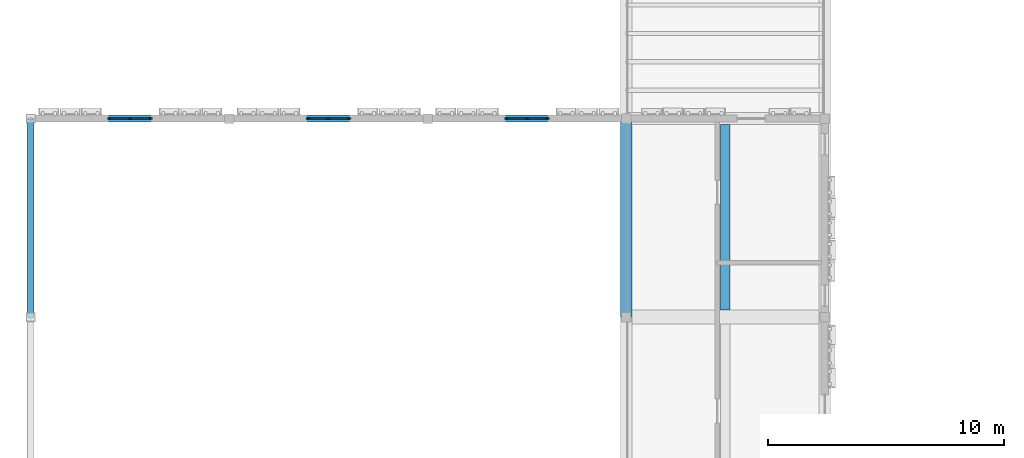
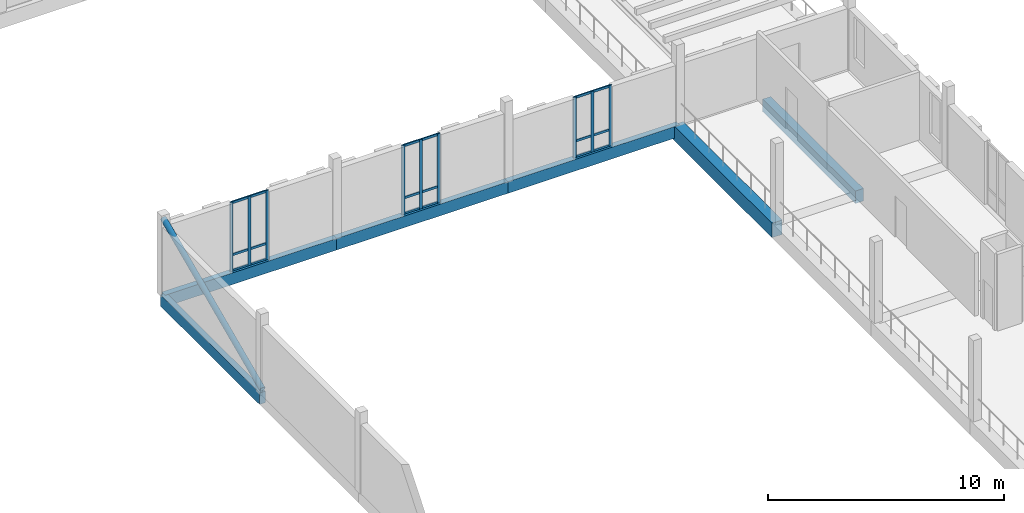
# One storey, part 30 of 99: 19 members, 6 beams, 3 elements without a shape of their own.
"""IFC4 building model written with IfcOpenShell, lengths in metres."""

from ifc_helpers import new_model, si_unit, direction, frame, origin, origin_2d, place, context, subcontext, project, spatial, rectangle, hollow_circle, extrude, material, material_profile, profile_set, type_object, element, aggregate, save


model = new_model("IFC4")

# Units and contexts
model_context = context("Model", 3, precision=1e-05, world=origin(), true_north=direction((0.0, 1.0)))
body_context = subcontext(model_context, "Body", "Model", "MODEL_VIEW")
ifc_project = project(units=[si_unit("LENGTHUNIT", "METRE"), si_unit("AREAUNIT", "SQUARE_METRE"), si_unit("VOLUMEUNIT", "CUBIC_METRE"), si_unit("PLANEANGLEUNIT", "RADIAN"), si_unit("MASSUNIT", "GRAM", prefix="KILO")], contexts=[model_context])

# Site, building, storey
site_placement = place(None, origin())
site = spatial("IfcSite", under=ifc_project, at=site_placement, CompositionType="ELEMENT")
building_placement = place(site_placement, origin())
building = spatial("IfcBuilding", under=site, at=building_placement, Name="Kahlenmark Community Centre", CompositionType="ELEMENT")
storey_placement = place(building_placement, frame((0.0, 0.0, 5.39990234375)))
storey = spatial("IfcBuildingStorey", under=building, at=storey_placement, Name="L01", CompositionType="ELEMENT", Elevation=5.39990234375)

# Beams
ifc_material_1 = material(Name="Concrete C35/45", Category="concrete")
ifc_material_profile_1 = material_profile(ifc_material_1, rectangle(XDim=0.39990234375, YDim=0.64990234375, at=origin_2d()), Name="RC 400x650")
ifc_profile_set_1 = profile_set([ifc_material_profile_1], Name="Concrete C35/45")
beam_type_1 = type_object("IfcBeamType", Name="BT-JOIST-RC400x650", PredefinedType="JOIST", material=ifc_profile_set_1)
beam_1_placement = place(storey_placement, frame((33.39990234375, 67.89794921875, -0.324951171875), z_axis=(0.0, 1.0, 0.0), x_axis=(-1.0, 0.0, 0.0)))
element("IfcBeam", 1, at=beam_1_placement, inside=storey, type_object=beam_type_1, Name="L01 joist BJ-RC400x650", PredefinedType="JOIST", context=body_context, shape_type="SweptSolid", body=[
    extrude(rectangle(XDim=0.39990234375, YDim=0.64990234375, at=origin_2d()), origin(), (0.0, 0.0, 1.0), 7.85400390625),
])
ifc_material_2 = material(Name="Glulam GL32h", Category="wood")
ifc_material_profile_2 = material_profile(ifc_material_2, rectangle(XDim=0.280029296875, YDim=0.60009765625, at=origin_2d()), Name="GL32h 280x600")
ifc_profile_set_2 = profile_set([ifc_material_profile_2], Name="Glulam GL32h")
beam_type_2 = type_object("IfcBeamType", Name="BT-SPANDREL-GL32h280x600", PredefinedType="SPANDREL", material=ifc_profile_set_2)
beam_2_placement = place(storey_placement, frame((4.0, 76.0, -0.2998046875), z_axis=(1.0, 0.0, 0.0), x_axis=(0.0, 1.0, 0.0)))
element("IfcBeam", 2, at=beam_2_placement, inside=storey, type_object=beam_type_2, Name="L01 spandrel SP-GL32h280x600", PredefinedType="SPANDREL", context=body_context, shape_type="SweptSolid", body=[
    extrude(rectangle(XDim=0.280029296875, YDim=0.60009765625, at=origin_2d()), origin(), (0.0, 0.0, 1.0), 8.39990234375),
])
beam_3_placement = place(storey_placement, frame((12.39990234375, 76.0, -0.2998046875), z_axis=(1.0, 0.0, 0.0), x_axis=(0.0, 1.0, 0.0)))
element("IfcBeam", 3, at=beam_3_placement, inside=storey, type_object=beam_type_2, Name="L01 spandrel SP-GL32h280x600", PredefinedType="SPANDREL", context=body_context, shape_type="SweptSolid", body=[
    extrude(rectangle(XDim=0.280029296875, YDim=0.60009765625, at=origin_2d()), origin(), (0.0, 0.0, 1.0), 8.400146484375),
])
for number, where, z_axis, x_axis, name in (
    (4, (20.800048828125, 76.0, -0.2998046875), (1.0, 0.0, 0.0), (0.0, 1.0, 0.0), "L01 spandrel SP-GL32h280x600"),
    (5, (4.0, 67.60009765625, -0.2998046875), (0.0, 1.0, 0.0), (-1.0, 0.0, 0.0), "L01 spandrel SP-GL32h280x600"),
):
    element("IfcBeam", number, at=place(storey_placement, frame(where, z_axis=z_axis, x_axis=x_axis)), inside=storey, type_object=beam_type_2, Name=name, PredefinedType="SPANDREL", context=body_context, shape_type="SweptSolid", body=[
        extrude(rectangle(XDim=0.280029296875, YDim=0.60009765625, at=origin_2d()), origin(), (0.0, 0.0, 1.0), 8.39990234375),
    ])
ifc_material_profile_3 = material_profile(ifc_material_1, rectangle(XDim=0.5, YDim=0.75, at=origin_2d()), Name="RC 500x750")
ifc_profile_set_3 = profile_set([ifc_material_profile_3], Name="Concrete C35/45")
beam_type_3 = type_object("IfcBeamType", Name="BT-SPANDREL-RC500x750", PredefinedType="SPANDREL", material=ifc_profile_set_3)
beam_4_placement = place(storey_placement, frame((29.199951171875, 67.60009765625, -0.375), z_axis=(0.0, 1.0, 0.0), x_axis=(-1.0, 0.0, 0.0)))
element("IfcBeam", 6, at=beam_4_placement, inside=storey, type_object=beam_type_3, Name="L01 spandrel SP-RC500x750", PredefinedType="SPANDREL", context=body_context, shape_type="SweptSolid", body=[
    extrude(rectangle(XDim=0.5, YDim=0.75, at=origin_2d()), origin(), (0.0, 0.0, 1.0), 8.39990234375),
])

# Member
ifc_material_3 = material(Name="Steel S355", Category="steel")
ifc_material_profile_4 = material_profile(ifc_material_3, hollow_circle(Radius=0.136474609375, WallThickness=0.010009765625, at=origin_2d()), Name="CHS 273x10")
ifc_profile_set_4 = profile_set([ifc_material_profile_4], Name="Steel S355")
member_type_1 = type_object("IfcMemberType", Name="MT-BRACE-CHS273x10", PredefinedType="BRACE", material=ifc_profile_set_4)
member_1_placement = place(storey_placement, frame((4.0, 67.60009765625, 0.150146484375), z_axis=(0.0, 0.913136118269, 0.407654792089), x_axis=(-1.0, 0.0, 0.0)))
element("IfcMember", 7, at=member_1_placement, inside=storey, type_object=member_type_1, Name="L01 brace BF-DIAG", PredefinedType="BRACE", context=body_context, shape_type="SweptSolid", body=[
    extrude(hollow_circle(Radius=0.136474609375, WallThickness=0.010009765625, at=origin_2d()), origin(), (0.0, 0.0, 1.0), 9.198974609375),
])

# Curtain wall, members
ifc_material_4 = material(Name="Anodised aluminium unitised curtain wall", Category="aluminium")
curtain_wall_type_1 = type_object("IfcCurtainWallType", Name="CWT-UNIT-180X359", PredefinedType="USERDEFINED", material=ifc_material_4)
curtain_wall_1_placement = place(storey_placement, origin())
curtain_wall_1 = element("IfcCurtainWall", 8, at=curtain_wall_1_placement, inside=storey, type_object=curtain_wall_type_1, Name="Unitised curtain wall CW-013", ObjectType="UNITISED CURTAIN WALL", PredefinedType="USERDEFINED")
ifc_material_5 = material(Name="Anodised aluminium 6063-T6", Category="aluminium")
ifc_material_profile_5 = material_profile(ifc_material_5, rectangle(XDim=0.06005859375, YDim=0.139892578125, at=origin_2d()), Name="ALU MULLION 60x140")
ifc_profile_set_5 = profile_set([ifc_material_profile_5], Name="Anodised aluminium 6063-T6")
member_type_2 = type_object("IfcMemberType", Name="MT-MUL-140", PredefinedType="MULLION", material=ifc_profile_set_5)
member_2_placement = place(storey_placement, frame((9.070068359375, 76.0, 0.0), z_axis=(0.0, 0.0, 1.0), x_axis=(0.0, -1.0, 0.0)))
member_2 = element("IfcMember", 9, at=member_2_placement, type_object=member_type_2, Name="CW-013 mullion 1", PredefinedType="MULLION", context=body_context, shape_type="SweptSolid", body=[
    extrude(rectangle(XDim=0.06005859375, YDim=0.139892578125, at=origin_2d()), origin(), (0.0, 0.0, 1.0), 3.590087890625),
])
member_3_placement = place(storey_placement, frame((8.199951171875, 76.0, 0.0), z_axis=(0.0, 0.0, 1.0), x_axis=(0.0, -1.0, 0.0)))
member_3 = element("IfcMember", 10, at=member_3_placement, type_object=member_type_2, Name="CW-013 mullion 2", PredefinedType="MULLION", context=body_context, shape_type="SweptSolid", body=[
    extrude(rectangle(XDim=0.06005859375, YDim=0.139892578125, at=origin_2d()), origin(), (0.0, 0.0, 1.0), 3.590087890625),
])
member_4_placement = place(storey_placement, frame((7.330078125, 76.0, 0.0), z_axis=(0.0, 0.0, 1.0), x_axis=(0.0, -1.0, 0.0)))
member_4 = element("IfcMember", 11, at=member_4_placement, type_object=member_type_2, Name="CW-013 mullion 3", PredefinedType="MULLION", context=body_context, shape_type="SweptSolid", body=[
    extrude(rectangle(XDim=0.06005859375, YDim=0.139892578125, at=origin_2d()), origin(), (0.0, 0.0, 1.0), 3.590087890625),
])

curtain_wall_2_placement = place(storey_placement, origin())
curtain_wall_2 = element("IfcCurtainWall", 12, at=curtain_wall_2_placement, inside=storey, type_object=curtain_wall_type_1, Name="Unitised curtain wall CW-014", ObjectType="UNITISED CURTAIN WALL", PredefinedType="USERDEFINED")
member_5_placement = place(storey_placement, frame((17.469970703125, 76.0, 0.0), z_axis=(0.0, 0.0, 1.0), x_axis=(0.0, -1.0, 0.0)))
member_5 = element("IfcMember", 13, at=member_5_placement, type_object=member_type_2, Name="CW-014 mullion 1", PredefinedType="MULLION", context=body_context, shape_type="SweptSolid", body=[
    extrude(rectangle(XDim=0.06005859375, YDim=0.139892578125, at=origin_2d()), origin(), (0.0, 0.0, 1.0), 3.590087890625),
])
member_6_placement = place(storey_placement, frame((16.60009765625, 76.0, 0.0), z_axis=(0.0, 0.0, 1.0), x_axis=(0.0, -1.0, 0.0)))
member_6 = element("IfcMember", 14, at=member_6_placement, type_object=member_type_2, Name="CW-014 mullion 2", PredefinedType="MULLION", context=body_context, shape_type="SweptSolid", body=[
    extrude(rectangle(XDim=0.06005859375, YDim=0.139892578125, at=origin_2d()), origin(), (0.0, 0.0, 1.0), 3.590087890625),
])
member_7_placement = place(storey_placement, frame((15.72998046875, 76.0, 0.0), z_axis=(0.0, 0.0, 1.0), x_axis=(0.0, -1.0, 0.0)))
member_7 = element("IfcMember", 15, at=member_7_placement, type_object=member_type_2, Name="CW-014 mullion 3", PredefinedType="MULLION", context=body_context, shape_type="SweptSolid", body=[
    extrude(rectangle(XDim=0.06005859375, YDim=0.139892578125, at=origin_2d()), origin(), (0.0, 0.0, 1.0), 3.590087890625),
])

curtain_wall_type_2 = type_object("IfcCurtainWallType", Name="CWT-UNIT-180X315", PredefinedType="USERDEFINED", material=ifc_material_4)
curtain_wall_3_placement = place(storey_placement, origin())
curtain_wall_3 = element("IfcCurtainWall", 16, at=curtain_wall_3_placement, inside=storey, type_object=curtain_wall_type_2, Name="Unitised curtain wall CW-015", ObjectType="UNITISED CURTAIN WALL", PredefinedType="USERDEFINED")
member_8_placement = place(storey_placement, frame((25.8701171875, 76.0, 0.0), z_axis=(0.0, 0.0, 1.0), x_axis=(0.0, -1.0, 0.0)))
member_8 = element("IfcMember", 17, at=member_8_placement, type_object=member_type_2, Name="CW-015 mullion 1", PredefinedType="MULLION", context=body_context, shape_type="SweptSolid", body=[
    extrude(rectangle(XDim=0.06005859375, YDim=0.139892578125, at=origin_2d()), origin(), (0.0, 0.0, 1.0), 3.150146484375),
])
member_9_placement = place(storey_placement, frame((25.0, 76.0, 0.0), z_axis=(0.0, 0.0, 1.0), x_axis=(0.0, -1.0, 0.0)))
member_9 = element("IfcMember", 18, at=member_9_placement, type_object=member_type_2, Name="CW-015 mullion 2", PredefinedType="MULLION", context=body_context, shape_type="SweptSolid", body=[
    extrude(rectangle(XDim=0.06005859375, YDim=0.139892578125, at=origin_2d()), origin(), (0.0, 0.0, 1.0), 3.150146484375),
])
member_10_placement = place(storey_placement, frame((24.1298828125, 76.0, 0.0), z_axis=(0.0, 0.0, 1.0), x_axis=(0.0, -1.0, 0.0)))
member_10 = element("IfcMember", 19, at=member_10_placement, type_object=member_type_2, Name="CW-015 mullion 3", PredefinedType="MULLION", context=body_context, shape_type="SweptSolid", body=[
    extrude(rectangle(XDim=0.06005859375, YDim=0.139892578125, at=origin_2d()), origin(), (0.0, 0.0, 1.0), 3.150146484375),
])

# Member
ifc_material_profile_6 = material_profile(ifc_material_5, rectangle(XDim=0.06005859375, YDim=0.1201171875, at=origin_2d()), Name="ALU TRANSOM 60x120")
ifc_profile_set_6 = profile_set([ifc_material_profile_6], Name="Anodised aluminium 6063-T6")
member_type_3 = type_object("IfcMemberType", Name="MT-TRN-120", PredefinedType="USERDEFINED", material=ifc_profile_set_6)
member_11_placement = place(storey_placement, frame((9.070068359375, 76.0, 0.0400390625), z_axis=(-1.0, 0.0, 0.0), x_axis=(0.0, -1.0, 0.0)))
member_11 = element("IfcMember", 20, at=member_11_placement, type_object=member_type_3, Name="CW-013 transom 1", ObjectType="TRANSOM", PredefinedType="USERDEFINED", context=body_context, shape_type="SweptSolid", body=[
    extrude(rectangle(XDim=0.06005859375, YDim=0.1201171875, at=origin_2d()), origin(), (0.0, 0.0, 1.0), 1.739990234375),
])

member_12_placement = place(storey_placement, frame((9.070068359375, 76.0, 0.85009765625), z_axis=(-1.0, 0.0, 0.0), x_axis=(0.0, -1.0, 0.0)))
member_12 = element("IfcMember", 21, at=member_12_placement, type_object=member_type_3, Name="CW-013 transom 2", ObjectType="TRANSOM", PredefinedType="USERDEFINED", context=body_context, shape_type="SweptSolid", body=[
    extrude(rectangle(XDim=0.06005859375, YDim=0.1201171875, at=origin_2d()), origin(), (0.0, 0.0, 1.0), 1.739990234375),
])

member_13_placement = place(storey_placement, frame((9.070068359375, 76.0, 3.550048828125), z_axis=(-1.0, 0.0, 0.0), x_axis=(0.0, -1.0, 0.0)))
member_13 = element("IfcMember", 22, at=member_13_placement, type_object=member_type_3, Name="CW-013 transom 3", ObjectType="TRANSOM", PredefinedType="USERDEFINED", context=body_context, shape_type="SweptSolid", body=[
    extrude(rectangle(XDim=0.06005859375, YDim=0.1201171875, at=origin_2d()), origin(), (0.0, 0.0, 1.0), 1.739990234375),
])

aggregate(curtain_wall_1, [member_2, member_3, member_4, member_11, member_12, member_13])

member_14_placement = place(storey_placement, frame((17.469970703125, 76.0, 0.0400390625), z_axis=(-1.0, 0.0, 0.0), x_axis=(0.0, -1.0, 0.0)))
member_14 = element("IfcMember", 23, at=member_14_placement, type_object=member_type_3, Name="CW-014 transom 1", ObjectType="TRANSOM", PredefinedType="USERDEFINED", context=body_context, shape_type="SweptSolid", body=[
    extrude(rectangle(XDim=0.06005859375, YDim=0.1201171875, at=origin_2d()), origin(), (0.0, 0.0, 1.0), 1.739990234375),
])

member_15_placement = place(storey_placement, frame((17.469970703125, 76.0, 0.85009765625), z_axis=(-1.0, 0.0, 0.0), x_axis=(0.0, -1.0, 0.0)))
member_15 = element("IfcMember", 24, at=member_15_placement, type_object=member_type_3, Name="CW-014 transom 2", ObjectType="TRANSOM", PredefinedType="USERDEFINED", context=body_context, shape_type="SweptSolid", body=[
    extrude(rectangle(XDim=0.06005859375, YDim=0.1201171875, at=origin_2d()), origin(), (0.0, 0.0, 1.0), 1.739990234375),
])

member_16_placement = place(storey_placement, frame((17.469970703125, 76.0, 3.550048828125), z_axis=(-1.0, 0.0, 0.0), x_axis=(0.0, -1.0, 0.0)))
member_16 = element("IfcMember", 25, at=member_16_placement, type_object=member_type_3, Name="CW-014 transom 3", ObjectType="TRANSOM", PredefinedType="USERDEFINED", context=body_context, shape_type="SweptSolid", body=[
    extrude(rectangle(XDim=0.06005859375, YDim=0.1201171875, at=origin_2d()), origin(), (0.0, 0.0, 1.0), 1.739990234375),
])

aggregate(curtain_wall_2, [member_5, member_6, member_7, member_14, member_15, member_16])

member_17_placement = place(storey_placement, frame((25.8701171875, 76.0, 0.0400390625), z_axis=(-1.0, 0.0, 0.0), x_axis=(0.0, -1.0, 0.0)))
member_17 = element("IfcMember", 26, at=member_17_placement, type_object=member_type_3, Name="CW-015 transom 1", ObjectType="TRANSOM", PredefinedType="USERDEFINED", context=body_context, shape_type="SweptSolid", body=[
    extrude(rectangle(XDim=0.06005859375, YDim=0.1201171875, at=origin_2d()), origin(), (0.0, 0.0, 1.0), 1.740234375),
])

member_18_placement = place(storey_placement, frame((25.8701171875, 76.0, 0.85009765625), z_axis=(-1.0, 0.0, 0.0), x_axis=(0.0, -1.0, 0.0)))
member_18 = element("IfcMember", 27, at=member_18_placement, type_object=member_type_3, Name="CW-015 transom 2", ObjectType="TRANSOM", PredefinedType="USERDEFINED", context=body_context, shape_type="SweptSolid", body=[
    extrude(rectangle(XDim=0.06005859375, YDim=0.1201171875, at=origin_2d()), origin(), (0.0, 0.0, 1.0), 1.740234375),
])

member_19_placement = place(storey_placement, frame((25.8701171875, 76.0, 3.110107421875), z_axis=(-1.0, 0.0, 0.0), x_axis=(0.0, -1.0, 0.0)))
member_19 = element("IfcMember", 28, at=member_19_placement, type_object=member_type_3, Name="CW-015 transom 3", ObjectType="TRANSOM", PredefinedType="USERDEFINED", context=body_context, shape_type="SweptSolid", body=[
    extrude(rectangle(XDim=0.06005859375, YDim=0.1201171875, at=origin_2d()), origin(), (0.0, 0.0, 1.0), 1.740234375),
])

aggregate(curtain_wall_3, [member_8, member_9, member_10, member_17, member_18, member_19])

save(model, "model.ifc")
